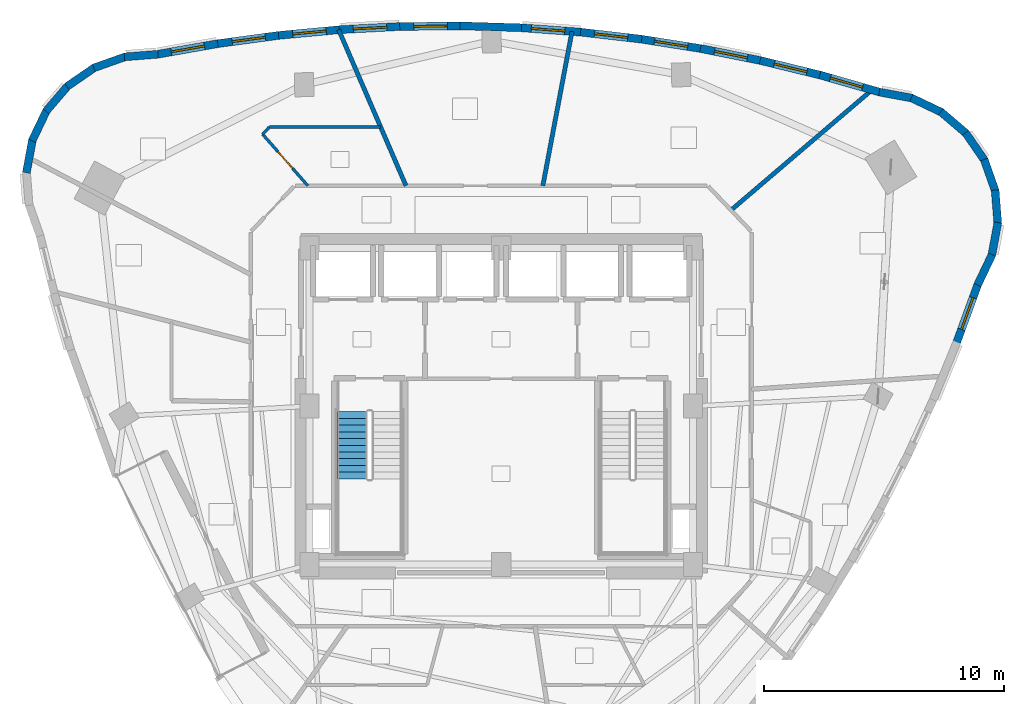
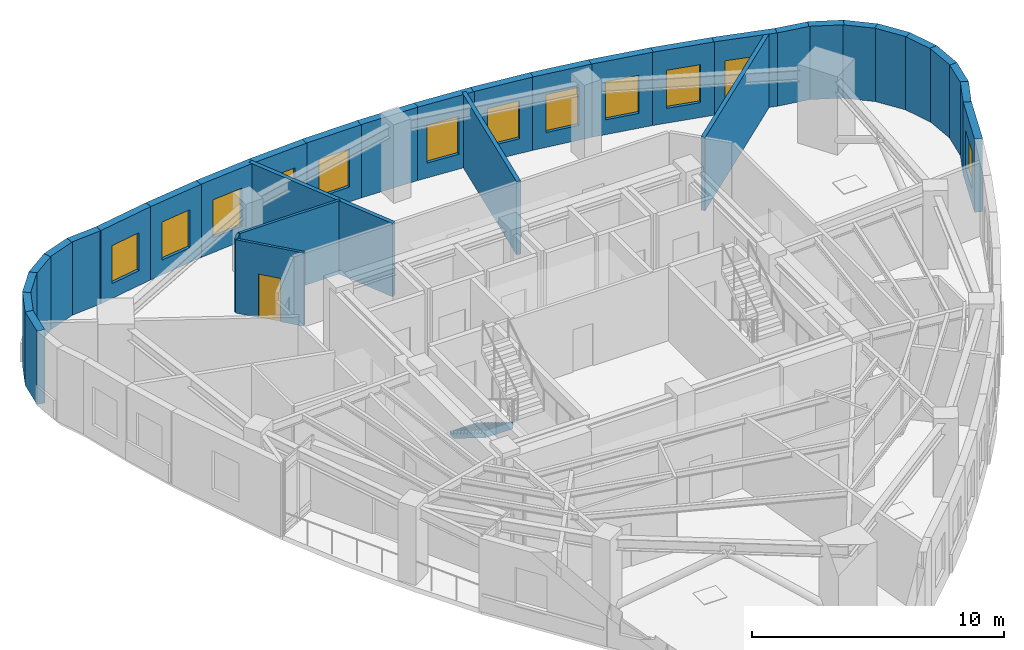
# One storey, part 9 of 13: 33 walls, 12 windows, 1 door, 1 stair flight, 13 openings, 1 element without a shape of its own.
"""IFC4 building model written with IfcOpenShell, lengths in metres."""

from ifc_helpers import new_model, si_unit, direction, frame, frame_2d, origin, place, context, subcontext, project, spatial, polyline, rectangle, outline, extrude, material, layer, layer_set, type_object, element, fill, aggregate, save


model = new_model("IFC4")

# Units and contexts
model_context = context("Model", 3, precision=1e-05, world=origin(), true_north=direction((0.0, 1.0)))
body_context = subcontext(model_context, "Body", "Model", "MODEL_VIEW")
ifc_project = project(units=[si_unit("LENGTHUNIT", "METRE"), si_unit("AREAUNIT", "SQUARE_METRE"), si_unit("VOLUMEUNIT", "CUBIC_METRE"), si_unit("PLANEANGLEUNIT", "RADIAN"), si_unit("MASSUNIT", "GRAM", prefix="KILO")], contexts=[model_context])

# Site, building, storey
site_placement = place(None, origin())
site = spatial("IfcSite", under=ifc_project, at=site_placement, CompositionType="ELEMENT")
building_placement = place(site_placement, origin())
building = spatial("IfcBuilding", under=site, at=building_placement, Name="Ndelora Gate Hotel", CompositionType="ELEMENT")
storey_placement = place(building_placement, frame((0.0, 0.0, 197.949951171875)))
storey = spatial("IfcBuildingStorey", under=building, at=storey_placement, Name="L49", CompositionType="ELEMENT", Elevation=197.949951171875)

# Walls
ifc_material_1 = material(Name="Acoustic Double-Stud Gypsum Assembly", Category="gypsum")
ifc_layer_1 = layer(ifc_material_1, 0.179931640625)
ifc_layer_set_1 = layer_set([ifc_layer_1], Name="Acoustic Double-Stud Gypsum Assembly")
wall_type_1 = type_object("IfcWallType", Name="WL-ACOUST-180", PredefinedType="PARTITIONING", material=ifc_layer_set_1)
wall_1_placement = place(storey_placement, frame((9.591064453125, 8.18115234375, 0.0), z_axis=(0.0, 0.0, 1.0), x_axis=(0.760812400489, 0.648971872474, 0.0)))
element("IfcWall", 1, at=wall_1_placement, inside=storey, type_object=wall_type_1, Name="L49 Interior Wall IW-3", PredefinedType="PARTITIONING", context=body_context, shape_type="SweptSolid", body=[
    extrude(rectangle(XDim=7.73193359375, YDim=0.179931640625, at=frame_2d((3.865966796875, 0.0))), origin(), (0.0, 0.0, 1.0), 3.550048828125),
])
wall_2_placement = place(storey_placement, frame((1.73876953125, 9.199951171875, 0.0), z_axis=(0.0, 0.0, 1.0), x_axis=(0.185690346743, 0.98260831216, 0.0)))
element("IfcWall", 2, at=wall_2_placement, inside=storey, type_object=wall_type_1, Name="L49 Interior Wall IW-3", PredefinedType="PARTITIONING", context=body_context, shape_type="SweptSolid", body=[
    extrude(rectangle(XDim=6.55029296875, YDim=0.179931640625, at=frame_2d((3.275146484375, 0.0))), origin(), (0.0, 0.0, 1.0), 3.550048828125),
])
wall_3_placement = place(storey_placement, frame((-3.971923828125, 9.199951171875, 0.0), z_axis=(0.0, 0.0, 1.0), x_axis=(-0.396382581843, 0.918085425661, 0.0)))
element("IfcWall", 3, at=wall_3_placement, inside=storey, type_object=wall_type_1, Name="L49 Interior Wall IW-3", PredefinedType="PARTITIONING", context=body_context, shape_type="SweptSolid", body=[
    extrude(rectangle(XDim=7.08935546875, YDim=0.179931640625, at=frame_2d((3.544677734375, 0.0))), origin(), (0.0, 0.0, 1.0), 3.550048828125),
])
ifc_material_2 = material(Name="Clay Brick Masonry", Category="masonry")
ifc_layer_2 = layer(ifc_material_2, 0.330078125)
ifc_layer_set_2 = layer_set([ifc_layer_2], Name="Clay Brick Masonry")
wall_type_2 = type_object("IfcWallType", Name="WL-BRICK-330", PredefinedType="SOLIDWALL", material=ifc_layer_set_2)
wall_4_placement = place(storey_placement, frame((-15.72265625, 14.576416015625, 0.0), z_axis=(0.0, 0.0, 1.0), x_axis=(0.996907811278, 0.07857999626, 0.0)))
element("IfcWall", 4, at=wall_4_placement, inside=storey, type_object=wall_type_2, Name="L49 Tower Brick Pier-and-Spandrel Wall TWR-1", PredefinedType="SOLIDWALL", context=body_context, shape_type="SweptSolid", body=[
    extrude(rectangle(XDim=1.407470703125, YDim=0.330078125, at=frame_2d((0.70361328125, 0.0))), origin(), (0.0, 0.0, 1.0), 3.550048828125),
])
wall_5_placement = place(storey_placement, frame((-17.0009765625, 14.1171875, 0.0), z_axis=(0.0, 0.0, 1.0), x_axis=(0.942676111555, 0.333709077945, 0.0)))
element("IfcWall", 5, at=wall_5_placement, inside=storey, type_object=wall_type_2, Name="L49 Tower Brick Pier-and-Spandrel Wall TWR-2", PredefinedType="SOLIDWALL", context=body_context, shape_type="SweptSolid", body=[
    extrude(rectangle(XDim=1.40771484375, YDim=0.330078125, at=frame_2d((0.703857421875, 0.0))), origin(), (0.0, 0.0, 1.0), 3.550048828125),
])
for number, where, z_axis, x_axis, name in (
    (6, (-18.11669921875, 13.34228515625, 0.0), (0.0, 0.0, 1.0), (0.824067227947, 0.566492015675, 0.0), "L49 Tower Brick Pier-and-Spandrel Wall TWR-3"),
    (7, (-18.993896484375, 12.30517578125, 0.0), (0.0, 0.0, 1.0), (0.64941898982, 0.760430782952, 0.0), "L49 Tower Brick Pier-and-Spandrel Wall TWR-4"),
    (8, (-19.572998046875, 11.076416015625, 0.0), (0.0, 0.0, 1.0), (0.430694266873, 0.902497893894, 0.0), "L49 Tower Brick Pier-and-Spandrel Wall TWR-5"),
    (9, (-19.814208984375, 9.73974609375, 0.0), (0.0, 0.0, 1.0), (0.182319094132, 0.983239415359, 0.0), "L49 Tower Brick Pier-and-Spandrel Wall TWR-6"),
):
    element("IfcWall", number, at=place(storey_placement, frame(where, z_axis=z_axis, x_axis=x_axis)), inside=storey, type_object=wall_type_2, Name=name, PredefinedType="SOLIDWALL", context=body_context, shape_type="SweptSolid", body=[
        extrude(rectangle(XDim=1.407470703125, YDim=0.330078125, at=frame_2d((0.70361328125, 0.0))), origin(), (0.0, 0.0, 1.0), 3.550048828125),
    ])

# Wall, opening, window
wall_6_placement = place(storey_placement, frame((19.8984375, 5.103759765625, 0.0), z_axis=(0.0, 0.0, 1.0), x_axis=(-0.342100538488, -0.939663355445, 0.0)))
wall_6 = element("IfcWall", 10, at=wall_6_placement, inside=storey, type_object=wall_type_2, Name="L49 Tower Brick Pier-and-Spandrel Wall TWR-38", PredefinedType="SOLIDWALL", context=body_context, shape_type="SweptSolid", body=[
    extrude(rectangle(XDim=2.6318359375, YDim=0.330078125, at=frame_2d((1.31591796875, 0.0))), origin(), (0.0, 0.0, 1.0), 3.550048828125),
])
opening_1_placement = place(wall_6_placement, frame((0.615966796875, 0.0, 0.719970703125)))
opening_1 = element("IfcOpeningElement", 11, at=opening_1_placement, cuts=wall_6, Name="Opening W02", PredefinedType="OPENING", context=body_context, shape_type="SweptSolid", body=[
    extrude(rectangle(XDim=1.39990234375, YDim=1.840087890625, at=frame_2d((0.699951171875, 0.919921875))), frame((0.0, 0.175048828125, 0.0), z_axis=(0.0, -1.0, 0.0), x_axis=(1.0, 0.0, 0.0)), (0.0, 0.0, 1.0), 0.35009765625),
])
ifc_material_3 = material(Name="Insulated Low-E Double Glazing in Bronze Aluminium Frame", Category="aluminium")
window_type = type_object("IfcWindowType", Name="WN-DEEP-1400", PartitioningType="SINGLE_PANEL", PredefinedType="WINDOW", material=ifc_material_3)
window_1_placement = place(opening_1_placement, origin())
window_1 = element("IfcWindow", 12, at=window_1_placement, inside=storey, type_object=window_type, Name="L49 Deep-Set Brick-Pier Window W02", OverallHeight=1.840087890625, OverallWidth=1.39990234375, PartitioningType="SINGLE_PANEL", PredefinedType="WINDOW", context=body_context, shape_type="SweptSolid", body=[
    extrude(rectangle(XDim=1.39990234375, YDim=1.840087890625, at=frame_2d((0.699951171875, 0.919921875))), frame((0.0, 0.030029296875, 0.0), z_axis=(0.0, -1.0, 0.0), x_axis=(1.0, 0.0, 0.0)), (0.0, 0.0, 1.0), 0.06005859375),
])
fill(opening_1, window_1)

# Walls
wall_7_placement = place(storey_placement, frame((20.485107421875, 6.327880859375, 0.0), z_axis=(0.0, 0.0, 1.0), x_axis=(-0.430694266873, -0.902497893894, 0.0)))
element("IfcWall", 13, at=wall_7_placement, inside=storey, type_object=wall_type_2, Name="L49 Tower Brick Pier-and-Spandrel Wall TWR-39", PredefinedType="SOLIDWALL", context=body_context, shape_type="SweptSolid", body=[
    extrude(rectangle(XDim=1.407470703125, YDim=0.330078125, at=frame_2d((0.70361328125, 0.0))), origin(), (0.0, 0.0, 1.0), 3.550048828125),
])
wall_8_placement = place(storey_placement, frame((20.726318359375, 7.664794921875, 0.0), z_axis=(0.0, 0.0, 1.0), x_axis=(-0.182455673353, -0.983214080077, 0.0)))
element("IfcWall", 14, at=wall_8_placement, inside=storey, type_object=wall_type_2, Name="L49 Tower Brick Pier-and-Spandrel Wall TWR-40", PredefinedType="SOLIDWALL", context=body_context, shape_type="SweptSolid", body=[
    extrude(rectangle(XDim=1.40771484375, YDim=0.330078125, at=frame_2d((0.703857421875, 0.0))), origin(), (0.0, 0.0, 1.0), 3.550048828125),
])
wall_9_placement = place(storey_placement, frame((20.613037109375, 9.018310546875, 0.0), z_axis=(0.0, 0.0, 1.0), x_axis=(0.07857999626, -0.996907811278, 0.0)))
element("IfcWall", 15, at=wall_9_placement, inside=storey, type_object=wall_type_2, Name="L49 Tower Brick Pier-and-Spandrel Wall TWR-41", PredefinedType="SOLIDWALL", context=body_context, shape_type="SweptSolid", body=[
    extrude(rectangle(XDim=1.407470703125, YDim=0.330078125, at=frame_2d((0.70361328125, 0.0))), origin(), (0.0, 0.0, 1.0), 3.550048828125),
])
wall_10_placement = place(storey_placement, frame((20.153564453125, 10.296630859375, 0.0), z_axis=(0.0, 0.0, 1.0), x_axis=(0.333709077945, -0.942676111555, 0.0)))
element("IfcWall", 16, at=wall_10_placement, inside=storey, type_object=wall_type_2, Name="L49 Tower Brick Pier-and-Spandrel Wall TWR-42", PredefinedType="SOLIDWALL", context=body_context, shape_type="SweptSolid", body=[
    extrude(rectangle(XDim=1.40771484375, YDim=0.330078125, at=frame_2d((0.703857421875, 0.0))), origin(), (0.0, 0.0, 1.0), 3.550048828125),
])
for number, where, z_axis, x_axis, name in (
    (17, (19.37890625, 11.412353515625, 0.0), (0.0, 0.0, 1.0), (0.566374209812, -0.824148199331, 0.0), "L49 Tower Brick Pier-and-Spandrel Wall TWR-43"),
    (18, (18.341796875, 12.28955078125, 0.0), (0.0, 0.0, 1.0), (0.760430782952, -0.64941898982, 0.0), "L49 Tower Brick Pier-and-Spandrel Wall TWR-44"),
    (19, (17.113037109375, 12.86865234375, 0.0), (0.0, 0.0, 1.0), (0.902565310806, -0.430552969714, 0.0), "L49 Tower Brick Pier-and-Spandrel Wall TWR-45"),
):
    element("IfcWall", number, at=place(storey_placement, frame(where, z_axis=z_axis, x_axis=x_axis)), inside=storey, type_object=wall_type_2, Name=name, PredefinedType="SOLIDWALL", context=body_context, shape_type="SweptSolid", body=[
        extrude(rectangle(XDim=1.407470703125, YDim=0.330078125, at=frame_2d((0.70361328125, 0.0))), origin(), (0.0, 0.0, 1.0), 3.550048828125),
    ])
wall_11_placement = place(storey_placement, frame((15.7763671875, 13.109619140625, 0.0), z_axis=(0.0, 0.0, 1.0), x_axis=(0.983270499209, -0.182151380411, 0.0)))
element("IfcWall", 20, at=wall_11_placement, inside=storey, type_object=wall_type_2, Name="L49 Tower Brick Pier-and-Spandrel Wall TWR-46", PredefinedType="SOLIDWALL", context=body_context, shape_type="SweptSolid", body=[
    extrude(rectangle(XDim=1.4072265625, YDim=0.330078125, at=frame_2d((0.70361328125, 0.0))), origin(), (0.0, 0.0, 1.0), 3.550048828125),
])

# Wall, opening, window
wall_12_placement = place(storey_placement, frame((13.295166015625, 13.823486328125, 0.0), z_axis=(0.0, 0.0, 1.0), x_axis=(0.961267980462, -0.275615438135, 0.0)))
wall_12 = element("IfcWall", 21, at=wall_12_placement, inside=storey, type_object=wall_type_2, Name="L49 Tower Brick Pier-and-Spandrel Wall TWR-47", PredefinedType="SOLIDWALL", context=body_context, shape_type="SweptSolid", body=[
    extrude(rectangle(XDim=2.6318359375, YDim=0.330078125, at=frame_2d((1.31591796875, 0.0))), origin(), (0.0, 0.0, 1.0), 3.550048828125),
])
opening_2_placement = place(wall_12_placement, frame((0.4599609375, 0.0, 0.719970703125)))
opening_2 = element("IfcOpeningElement", 22, at=opening_2_placement, cuts=wall_12, Name="Opening W02", PredefinedType="OPENING", context=body_context, shape_type="SweptSolid", body=[
    extrude(rectangle(XDim=1.39990234375, YDim=1.840087890625, at=frame_2d((0.699951171875, 0.919921875))), frame((0.0, 0.175048828125, 0.0), z_axis=(0.0, -1.0, 0.0), x_axis=(1.0, 0.0, 0.0)), (0.0, 0.0, 1.0), 0.35009765625),
])
window_2_placement = place(opening_2_placement, origin())
window_2 = element("IfcWindow", 23, at=window_2_placement, inside=storey, type_object=window_type, Name="L49 Deep-Set Brick-Pier Window W02", OverallHeight=1.840087890625, OverallWidth=1.39990234375, PartitioningType="SINGLE_PANEL", PredefinedType="WINDOW", context=body_context, shape_type="SweptSolid", body=[
    extrude(rectangle(XDim=1.39990234375, YDim=1.840087890625, at=frame_2d((0.699951171875, 0.919921875))), frame((0.0, 0.030029296875, 0.0), z_axis=(0.0, -1.0, 0.0), x_axis=(1.0, 0.0, 0.0)), (0.0, 0.0, 1.0), 0.06005859375),
])
fill(opening_2, window_2)

wall_13_placement = place(storey_placement, frame((10.8076171875, 14.428466796875, 0.0), z_axis=(0.0, 0.0, 1.0), x_axis=(0.971593821021, -0.236654699835, 0.0)))
wall_13 = element("IfcWall", 24, at=wall_13_placement, inside=storey, type_object=wall_type_2, Name="L49 Tower Brick Pier-and-Spandrel Wall TWR-48", PredefinedType="SOLIDWALL", context=body_context, shape_type="SweptSolid", body=[
    extrude(rectangle(XDim=2.610107421875, YDim=0.330078125, at=frame_2d((1.30517578125, 0.0))), origin(), (0.0, 0.0, 1.0), 3.550048828125),
])
opening_3_placement = place(wall_13_placement, frame((0.60498046875, 0.0, 0.719970703125)))
opening_3 = element("IfcOpeningElement", 25, at=opening_3_placement, cuts=wall_13, Name="Opening W02", PredefinedType="OPENING", context=body_context, shape_type="SweptSolid", body=[
    extrude(rectangle(XDim=1.39990234375, YDim=1.840087890625, at=frame_2d((0.699951171875, 0.919921875))), frame((0.0, 0.175048828125, 0.0), z_axis=(0.0, -1.0, 0.0), x_axis=(1.0, 0.0, 0.0)), (0.0, 0.0, 1.0), 0.35009765625),
])
window_3_placement = place(opening_3_placement, origin())
window_3 = element("IfcWindow", 26, at=window_3_placement, inside=storey, type_object=window_type, Name="L49 Deep-Set Brick-Pier Window W02", OverallHeight=1.840087890625, OverallWidth=1.39990234375, PartitioningType="SINGLE_PANEL", PredefinedType="WINDOW", context=body_context, shape_type="SweptSolid", body=[
    extrude(rectangle(XDim=1.39990234375, YDim=1.840087890625, at=frame_2d((0.699951171875, 0.919921875))), frame((0.0, 0.030029296875, 0.0), z_axis=(0.0, -1.0, 0.0), x_axis=(1.0, 0.0, 0.0)), (0.0, 0.0, 1.0), 0.06005859375),
])
fill(opening_3, window_3)

wall_14_placement = place(storey_placement, frame((8.314697265625, 14.927978515625, 0.0), z_axis=(0.0, 0.0, 1.0), x_axis=(0.980439161236, -0.196822384688, 0.0)))
wall_14 = element("IfcWall", 27, at=wall_14_placement, inside=storey, type_object=wall_type_2, Name="L49 Tower Brick Pier-and-Spandrel Wall TWR-49", PredefinedType="SOLIDWALL", context=body_context, shape_type="SweptSolid", body=[
    extrude(rectangle(XDim=2.592529296875, YDim=0.330078125, at=frame_2d((1.29638671875, 0.0))), origin(), (0.0, 0.0, 1.0), 3.550048828125),
])
opening_4_placement = place(wall_14_placement, frame((0.59619140625, 0.0, 0.719970703125)))
opening_4 = element("IfcOpeningElement", 28, at=opening_4_placement, cuts=wall_14, Name="Opening W02", PredefinedType="OPENING", context=body_context, shape_type="SweptSolid", body=[
    extrude(rectangle(XDim=1.39990234375, YDim=1.840087890625, at=frame_2d((0.699951171875, 0.919921875))), frame((0.0, 0.175048828125, 0.0), z_axis=(0.0, -1.0, 0.0), x_axis=(1.0, 0.0, 0.0)), (0.0, 0.0, 1.0), 0.35009765625),
])
window_4_placement = place(opening_4_placement, origin())
window_4 = element("IfcWindow", 29, at=window_4_placement, inside=storey, type_object=window_type, Name="L49 Deep-Set Brick-Pier Window W02", OverallHeight=1.840087890625, OverallWidth=1.39990234375, PartitioningType="SINGLE_PANEL", PredefinedType="WINDOW", context=body_context, shape_type="SweptSolid", body=[
    extrude(rectangle(XDim=1.39990234375, YDim=1.840087890625, at=frame_2d((0.699951171875, 0.919921875))), frame((0.0, 0.030029296875, 0.0), z_axis=(0.0, -1.0, 0.0), x_axis=(1.0, 0.0, 0.0)), (0.0, 0.0, 1.0), 0.06005859375),
])
fill(opening_4, window_4)

wall_15_placement = place(storey_placement, frame((5.816162109375, 15.322265625, 0.0), z_axis=(0.0, 0.0, 1.0), x_axis=(0.987713798628, -0.156273644613, 0.0)))
wall_15 = element("IfcWall", 30, at=wall_15_placement, inside=storey, type_object=wall_type_2, Name="L49 Tower Brick Pier-and-Spandrel Wall TWR-50", PredefinedType="SOLIDWALL", context=body_context, shape_type="SweptSolid", body=[
    extrude(rectangle(XDim=2.579345703125, YDim=0.330078125, at=frame_2d((1.28955078125, 0.0))), origin(), (0.0, 0.0, 1.0), 3.550048828125),
])
opening_5_placement = place(wall_15_placement, frame((0.589599609375, 0.0, 0.719970703125)))
opening_5 = element("IfcOpeningElement", 31, at=opening_5_placement, cuts=wall_15, Name="Opening W02", PredefinedType="OPENING", context=body_context, shape_type="SweptSolid", body=[
    extrude(rectangle(XDim=1.39990234375, YDim=1.840087890625, at=frame_2d((0.699951171875, 0.919921875))), frame((0.0, 0.175048828125, 0.0), z_axis=(0.0, -1.0, 0.0), x_axis=(1.0, 0.0, 0.0)), (0.0, 0.0, 1.0), 0.35009765625),
])
window_5_placement = place(opening_5_placement, origin())
window_5 = element("IfcWindow", 32, at=window_5_placement, inside=storey, type_object=window_type, Name="L49 Deep-Set Brick-Pier Window W02", OverallHeight=1.840087890625, OverallWidth=1.39990234375, PartitioningType="SINGLE_PANEL", PredefinedType="WINDOW", context=body_context, shape_type="SweptSolid", body=[
    extrude(rectangle(XDim=1.39990234375, YDim=1.840087890625, at=frame_2d((0.699951171875, 0.919921875))), frame((0.0, 0.030029296875, 0.0), z_axis=(0.0, -1.0, 0.0), x_axis=(1.0, 0.0, 0.0)), (0.0, 0.0, 1.0), 0.06005859375),
])
fill(opening_5, window_5)

wall_16_placement = place(storey_placement, frame((3.312255859375, 15.611083984375, 0.0), z_axis=(0.0, 0.0, 1.0), x_axis=(0.993362262195, -0.115027892476, 0.0)))
wall_16 = element("IfcWall", 33, at=wall_16_placement, inside=storey, type_object=wall_type_2, Name="L49 Tower Brick Pier-and-Spandrel Wall TWR-51", PredefinedType="SOLIDWALL", context=body_context, shape_type="SweptSolid", body=[
    extrude(rectangle(XDim=2.5703125, YDim=0.330078125, at=frame_2d((1.28515625, 0.0))), origin(), (0.0, 0.0, 1.0), 3.550048828125),
])
opening_6_placement = place(wall_16_placement, frame((0.585205078125, 0.0, 0.719970703125)))
opening_6 = element("IfcOpeningElement", 34, at=opening_6_placement, cuts=wall_16, Name="Opening W02", PredefinedType="OPENING", context=body_context, shape_type="SweptSolid", body=[
    extrude(rectangle(XDim=1.39990234375, YDim=1.840087890625, at=frame_2d((0.699951171875, 0.919921875))), frame((0.0, 0.175048828125, 0.0), z_axis=(0.0, -1.0, 0.0), x_axis=(1.0, 0.0, 0.0)), (0.0, 0.0, 1.0), 0.35009765625),
])
window_6_placement = place(opening_6_placement, origin())
window_6 = element("IfcWindow", 35, at=window_6_placement, inside=storey, type_object=window_type, Name="L49 Deep-Set Brick-Pier Window W02", OverallHeight=1.840087890625, OverallWidth=1.39990234375, PartitioningType="SINGLE_PANEL", PredefinedType="WINDOW", context=body_context, shape_type="SweptSolid", body=[
    extrude(rectangle(XDim=1.39990234375, YDim=1.840087890625, at=frame_2d((0.699951171875, 0.919921875))), frame((0.0, 0.030029296875, 0.0), z_axis=(0.0, -1.0, 0.0), x_axis=(1.0, 0.0, 0.0)), (0.0, 0.0, 1.0), 0.06005859375),
])
fill(opening_6, window_6)

wall_17_placement = place(storey_placement, frame((0.802734375, 15.794189453125, 0.0), z_axis=(0.0, 0.0, 1.0), x_axis=(0.9973127393, -0.073261859308, 0.0)))
wall_17 = element("IfcWall", 36, at=wall_17_placement, inside=storey, type_object=wall_type_2, Name="L49 Tower Brick Pier-and-Spandrel Wall TWR-52", PredefinedType="SOLIDWALL", context=body_context, shape_type="SweptSolid", body=[
    extrude(rectangle(XDim=2.56591796875, YDim=0.330078125, at=frame_2d((1.282958984375, 0.0))), origin(), (0.0, 0.0, 1.0), 3.550048828125),
])
opening_7_placement = place(wall_17_placement, frame((0.4599609375, 0.0, 0.719970703125)))
opening_7 = element("IfcOpeningElement", 37, at=opening_7_placement, cuts=wall_17, Name="Opening W02", PredefinedType="OPENING", context=body_context, shape_type="SweptSolid", body=[
    extrude(rectangle(XDim=1.39990234375, YDim=1.840087890625, at=frame_2d((0.699951171875, 0.919921875))), frame((0.0, 0.175048828125, 0.0), z_axis=(0.0, -1.0, 0.0), x_axis=(1.0, 0.0, 0.0)), (0.0, 0.0, 1.0), 0.35009765625),
])
window_7_placement = place(opening_7_placement, origin())
window_7 = element("IfcWindow", 38, at=window_7_placement, inside=storey, type_object=window_type, Name="L49 Deep-Set Brick-Pier Window W02", OverallHeight=1.840087890625, OverallWidth=1.39990234375, PartitioningType="SINGLE_PANEL", PredefinedType="WINDOW", context=body_context, shape_type="SweptSolid", body=[
    extrude(rectangle(XDim=1.39990234375, YDim=1.840087890625, at=frame_2d((0.699951171875, 0.919921875))), frame((0.0, 0.030029296875, 0.0), z_axis=(0.0, -1.0, 0.0), x_axis=(1.0, 0.0, 0.0)), (0.0, 0.0, 1.0), 0.06005859375),
])
fill(opening_7, window_7)

# Wall
wall_18_placement = place(storey_placement, frame((-1.712158203125, 15.872314453125, 0.0), z_axis=(0.0, 0.0, 1.0), x_axis=(0.999506957349, -0.031398124315, 0.0)))
element("IfcWall", 39, at=wall_18_placement, inside=storey, type_object=wall_type_2, Name="L49 Tower Brick Pier-and-Spandrel Wall TWR-53", PredefinedType="SOLIDWALL", context=body_context, shape_type="SweptSolid", body=[
    extrude(rectangle(XDim=2.56591796875, YDim=0.330078125, at=frame_2d((1.282958984375, 0.0))), origin(), (0.0, 0.0, 1.0), 3.550048828125),
])

# Wall, opening, window
wall_19_placement = place(storey_placement, frame((-4.232666015625, 15.8447265625, 0.0), z_axis=(0.0, 0.0, 1.0), x_axis=(0.999945431053, 0.010446765829, 0.0)))
wall_19 = element("IfcWall", 40, at=wall_19_placement, inside=storey, type_object=wall_type_2, Name="L49 Tower Brick Pier-and-Spandrel Wall TWR-54", PredefinedType="SOLIDWALL", context=body_context, shape_type="SweptSolid", body=[
    extrude(rectangle(XDim=2.57080078125, YDim=0.330078125, at=frame_2d((1.285400390625, 0.0))), origin(), (0.0, 0.0, 1.0), 3.550048828125),
])
opening_8_placement = place(wall_19_placement, frame((0.585205078125, 0.0, 0.719970703125)))
opening_8 = element("IfcOpeningElement", 41, at=opening_8_placement, cuts=wall_19, Name="Opening W02", PredefinedType="OPENING", context=body_context, shape_type="SweptSolid", body=[
    extrude(rectangle(XDim=1.39990234375, YDim=1.840087890625, at=frame_2d((0.699951171875, 0.919921875))), frame((0.0, 0.175048828125, 0.0), z_axis=(0.0, -1.0, 0.0), x_axis=(1.0, 0.0, 0.0)), (0.0, 0.0, 1.0), 0.35009765625),
])
window_8_placement = place(opening_8_placement, origin())
window_8 = element("IfcWindow", 42, at=window_8_placement, inside=storey, type_object=window_type, Name="L49 Deep-Set Brick-Pier Window W02", OverallHeight=1.840087890625, OverallWidth=1.39990234375, PartitioningType="SINGLE_PANEL", PredefinedType="WINDOW", context=body_context, shape_type="SweptSolid", body=[
    extrude(rectangle(XDim=1.39990234375, YDim=1.840087890625, at=frame_2d((0.699951171875, 0.919921875))), frame((0.0, 0.030029296875, 0.0), z_axis=(0.0, -1.0, 0.0), x_axis=(1.0, 0.0, 0.0)), (0.0, 0.0, 1.0), 0.06005859375),
])
fill(opening_8, window_8)

wall_20_placement = place(storey_placement, frame((-6.758544921875, 15.7119140625, 0.0), z_axis=(0.0, 0.0, 1.0), x_axis=(0.998644110944, 0.052057080942, 0.0)))
wall_20 = element("IfcWall", 43, at=wall_20_placement, inside=storey, type_object=wall_type_2, Name="L49 Tower Brick Pier-and-Spandrel Wall TWR-55", PredefinedType="SOLIDWALL", context=body_context, shape_type="SweptSolid", body=[
    extrude(rectangle(XDim=2.579345703125, YDim=0.330078125, at=frame_2d((1.28955078125, 0.0))), origin(), (0.0, 0.0, 1.0), 3.550048828125),
])
opening_9_placement = place(wall_20_placement, frame((0.589599609375, 0.0, 0.719970703125)))
opening_9 = element("IfcOpeningElement", 44, at=opening_9_placement, cuts=wall_20, Name="Opening W02", PredefinedType="OPENING", context=body_context, shape_type="SweptSolid", body=[
    extrude(rectangle(XDim=1.39990234375, YDim=1.840087890625, at=frame_2d((0.699951171875, 0.919921875))), frame((0.0, 0.175048828125, 0.0), z_axis=(0.0, -1.0, 0.0), x_axis=(1.0, 0.0, 0.0)), (0.0, 0.0, 1.0), 0.35009765625),
])
window_9_placement = place(opening_9_placement, origin())
window_9 = element("IfcWindow", 45, at=window_9_placement, inside=storey, type_object=window_type, Name="L49 Deep-Set Brick-Pier Window W02", OverallHeight=1.840087890625, OverallWidth=1.39990234375, PartitioningType="SINGLE_PANEL", PredefinedType="WINDOW", context=body_context, shape_type="SweptSolid", body=[
    extrude(rectangle(XDim=1.39990234375, YDim=1.840087890625, at=frame_2d((0.699951171875, 0.919921875))), frame((0.0, 0.030029296875, 0.0), z_axis=(0.0, -1.0, 0.0), x_axis=(1.0, 0.0, 0.0)), (0.0, 0.0, 1.0), 0.06005859375),
])
fill(opening_9, window_9)

wall_21_placement = place(storey_placement, frame((-9.289794921875, 15.473388671875, 0.0), z_axis=(0.0, 0.0, 1.0), x_axis=(0.9956361402, 0.093320288938, 0.0)))
wall_21 = element("IfcWall", 46, at=wall_21_placement, inside=storey, type_object=wall_type_2, Name="L49 Tower Brick Pier-and-Spandrel Wall TWR-56", PredefinedType="SOLIDWALL", context=body_context, shape_type="SweptSolid", body=[
    extrude(rectangle(XDim=2.592529296875, YDim=0.330078125, at=frame_2d((1.29638671875, 0.0))), origin(), (0.0, 0.0, 1.0), 3.550048828125),
])
opening_10_placement = place(wall_21_placement, frame((0.59619140625, 0.0, 0.719970703125)))
opening_10 = element("IfcOpeningElement", 47, at=opening_10_placement, cuts=wall_21, Name="Opening W02", PredefinedType="OPENING", context=body_context, shape_type="SweptSolid", body=[
    extrude(rectangle(XDim=1.39990234375, YDim=1.840087890625, at=frame_2d((0.699951171875, 0.919921875))), frame((0.0, 0.175048828125, 0.0), z_axis=(0.0, -1.0, 0.0), x_axis=(1.0, 0.0, 0.0)), (0.0, 0.0, 1.0), 0.35009765625),
])
window_10_placement = place(opening_10_placement, origin())
window_10 = element("IfcWindow", 48, at=window_10_placement, inside=storey, type_object=window_type, Name="L49 Deep-Set Brick-Pier Window W02", OverallHeight=1.840087890625, OverallWidth=1.39990234375, PartitioningType="SINGLE_PANEL", PredefinedType="WINDOW", context=body_context, shape_type="SweptSolid", body=[
    extrude(rectangle(XDim=1.39990234375, YDim=1.840087890625, at=frame_2d((0.699951171875, 0.919921875))), frame((0.0, 0.030029296875, 0.0), z_axis=(0.0, -1.0, 0.0), x_axis=(1.0, 0.0, 0.0)), (0.0, 0.0, 1.0), 0.06005859375),
])
fill(opening_10, window_10)

wall_22_placement = place(storey_placement, frame((-11.82666015625, 15.1298828125, 0.0), z_axis=(0.0, 0.0, 1.0), x_axis=(0.991012550784, 0.133768920863, 0.0)))
wall_22 = element("IfcWall", 49, at=wall_22_placement, inside=storey, type_object=wall_type_2, Name="L49 Tower Brick Pier-and-Spandrel Wall TWR-57", PredefinedType="SOLIDWALL", context=body_context, shape_type="SweptSolid", body=[
    extrude(rectangle(XDim=2.60986328125, YDim=0.330078125, at=frame_2d((1.304931640625, 0.0))), origin(), (0.0, 0.0, 1.0), 3.550048828125),
])
opening_11_placement = place(wall_22_placement, frame((0.60498046875, 0.0, 0.719970703125)))
opening_11 = element("IfcOpeningElement", 50, at=opening_11_placement, cuts=wall_22, Name="Opening W02", PredefinedType="OPENING", context=body_context, shape_type="SweptSolid", body=[
    extrude(rectangle(XDim=1.39990234375, YDim=1.840087890625, at=frame_2d((0.699951171875, 0.919921875))), frame((0.0, 0.175048828125, 0.0), z_axis=(0.0, -1.0, 0.0), x_axis=(1.0, 0.0, 0.0)), (0.0, 0.0, 1.0), 0.35009765625),
])
window_11_placement = place(opening_11_placement, origin())
window_11 = element("IfcWindow", 51, at=window_11_placement, inside=storey, type_object=window_type, Name="L49 Deep-Set Brick-Pier Window W02", OverallHeight=1.840087890625, OverallWidth=1.39990234375, PartitioningType="SINGLE_PANEL", PredefinedType="WINDOW", context=body_context, shape_type="SweptSolid", body=[
    extrude(rectangle(XDim=1.39990234375, YDim=1.840087890625, at=frame_2d((0.699951171875, 0.919921875))), frame((0.0, 0.030029296875, 0.0), z_axis=(0.0, -1.0, 0.0), x_axis=(1.0, 0.0, 0.0)), (0.0, 0.0, 1.0), 0.06005859375),
])
fill(opening_11, window_11)

wall_23_placement = place(storey_placement, frame((-14.368896484375, 14.6806640625, 0.0), z_axis=(0.0, 0.0, 1.0), x_axis=(0.984819029835, 0.173584211476, 0.0)))
wall_23 = element("IfcWall", 52, at=wall_23_placement, inside=storey, type_object=wall_type_2, Name="L49 Tower Brick Pier-and-Spandrel Wall TWR-58", PredefinedType="SOLIDWALL", context=body_context, shape_type="SweptSolid", body=[
    extrude(rectangle(XDim=2.631591796875, YDim=0.330078125, at=frame_2d((1.31591796875, 0.0))), origin(), (0.0, 0.0, 1.0), 3.550048828125),
])
opening_12_placement = place(wall_23_placement, frame((0.61572265625, 0.0, 0.719970703125)))
opening_12 = element("IfcOpeningElement", 53, at=opening_12_placement, cuts=wall_23, Name="Opening W02", PredefinedType="OPENING", context=body_context, shape_type="SweptSolid", body=[
    extrude(rectangle(XDim=1.39990234375, YDim=1.840087890625, at=frame_2d((0.699951171875, 0.919921875))), frame((0.0, 0.175048828125, 0.0), z_axis=(0.0, -1.0, 0.0), x_axis=(1.0, 0.0, 0.0)), (0.0, 0.0, 1.0), 0.35009765625),
])
window_12_placement = place(opening_12_placement, origin())
window_12 = element("IfcWindow", 54, at=window_12_placement, inside=storey, type_object=window_type, Name="L49 Deep-Set Brick-Pier Window W02", OverallHeight=1.840087890625, OverallWidth=1.39990234375, PartitioningType="SINGLE_PANEL", PredefinedType="WINDOW", context=body_context, shape_type="SweptSolid", body=[
    extrude(rectangle(XDim=1.39990234375, YDim=1.840087890625, at=frame_2d((0.699951171875, 0.919921875))), frame((0.0, 0.030029296875, 0.0), z_axis=(0.0, -1.0, 0.0), x_axis=(1.0, 0.0, 0.0)), (0.0, 0.0, 1.0), 0.06005859375),
])
fill(opening_12, window_12)

# Wall, opening, door
ifc_material_4 = material(Name="Moisture-Resistant Bathroom Tile Partition", Category="gypsum")
ifc_layer_3 = layer(ifc_material_4, 0.1201171875)
ifc_layer_set_3 = layer_set([ifc_layer_3], Name="Moisture-Resistant Bathroom Tile Partition")
wall_type_3 = type_object("IfcWallType", Name="WL-WET-120", PredefinedType="PARTITIONING", material=ifc_layer_set_3)
wall_24_placement = place(storey_placement, frame((-8.0693359375, 9.199951171875, 0.0), z_axis=(0.0, 0.0, 1.0), x_axis=(-0.659368411854, 0.751819990057, 0.0)))
wall_24 = element("IfcWall", 55, at=wall_24_placement, inside=storey, type_object=wall_type_3, Name="L49 Interior Wall IW-7", PredefinedType="PARTITIONING", context=body_context, shape_type="SweptSolid", body=[
    extrude(rectangle(XDim=2.85986328125, YDim=0.1201171875, at=frame_2d((1.429931640625, 0.0))), origin(), (0.0, 0.0, 1.0), 3.550048828125),
])
opening_13_placement = place(wall_24_placement, frame((0.969970703125, 0.0, 0.0)))
opening_13 = element("IfcOpeningElement", 56, at=opening_13_placement, cuts=wall_24, Name="Opening D03", PredefinedType="OPENING", context=body_context, shape_type="SweptSolid", body=[
    extrude(rectangle(XDim=0.919921875, YDim=2.10009765625, at=frame_2d((0.4599609375, 1.050048828125))), frame((0.0, 0.070068359375, 0.0), z_axis=(0.0, -1.0, 0.0), x_axis=(1.0, 0.0, 0.0)), (0.0, 0.0, 1.0), 0.14013671875),
])
ifc_material_5 = material(Name="Moisture-Resistant Hardwood En-Suite Door", Category="wood")
door_type = type_object("IfcDoorType", Name="DR-BATH-920", OperationType="SINGLE_SWING_LEFT", PredefinedType="DOOR", material=ifc_material_5)
door_placement = place(opening_13_placement, origin())
door = element("IfcDoor", 57, at=door_placement, inside=storey, type_object=door_type, Name="L49 En-suite Bathroom 5204 Door", OperationType="SINGLE_SWING_LEFT", OverallHeight=2.10009765625, OverallWidth=0.919921875, PredefinedType="DOOR", context=body_context, shape_type="SweptSolid", body=[
    extrude(rectangle(XDim=0.919921875, YDim=2.10009765625, at=frame_2d((0.4599609375, 1.050048828125))), frame((0.0, 0.02490234375, 0.0), z_axis=(0.0, -1.0, 0.0), x_axis=(1.0, 0.0, 0.0)), (0.0, 0.0, 1.0), 0.050048828125),
])
fill(opening_13, door)

# Walls
wall_25_placement = place(storey_placement, frame((-9.955078125, 11.35009765625, 0.0), z_axis=(0.0, 0.0, 1.0), x_axis=(0.689802376572, 0.72399770806, 0.0)))
element("IfcWall", 58, at=wall_25_placement, inside=storey, type_object=wall_type_3, Name="L49 Interior Wall IW-7", PredefinedType="PARTITIONING", context=body_context, shape_type="SweptSolid", body=[
    extrude(rectangle(XDim=0.4140625, YDim=0.1201171875, at=frame_2d((0.20703125, 0.0))), origin(), (0.0, 0.0, 1.0), 3.550048828125),
])
wall_26_placement = place(storey_placement, frame((-5.02978515625, 11.64990234375, 0.0), z_axis=(0.0, 0.0, 1.0), x_axis=(-1.0, 0.0, 0.0)))
element("IfcWall", 59, at=wall_26_placement, inside=storey, type_object=wall_type_3, Name="L49 Interior Wall IW-7", PredefinedType="PARTITIONING", context=body_context, shape_type="SweptSolid", body=[
    extrude(rectangle(XDim=4.6396484375, YDim=0.1201171875, at=frame_2d((2.31982421875, 0.0))), origin(), (0.0, 0.0, 1.0), 3.550048828125),
])

# Stair, stair flight
ifc_material_6 = material(Name="Precast concrete C40/50", Category="concrete")
stair_type = type_object("IfcStairType", Name="STR-DOG-CORE", PredefinedType="HALF_TURN_STAIR", material=ifc_material_6)
stair_placement = place(storey_placement, origin())
stair = element("IfcStair", 60, at=stair_placement, inside=storey, type_object=stair_type, Name="L49 Protected Core Exit Stair ST4", PredefinedType="HALF_TURN_STAIR")
stair_flight_type = type_object("IfcStairFlightType", Name="STF-PRECAST", PredefinedType="STRAIGHT", material=ifc_material_6)
stair_flight_placement = place(storey_placement, frame((-6.2099609375, -0.22998046875, 0.0), z_axis=(0.0, 0.0, 1.0), x_axis=(0.0, -1.0, 0.0)))
stair_flight = element("IfcStairFlight", 61, at=stair_flight_placement, type_object=stair_flight_type, Name="ST4 flight 1", NumberOfRisers=11, NumberOfTreads=10, PredefinedType="STRAIGHT", RiserHeight=0.172727273, TreadLength=0.28, context=body_context, shape_type="SweptSolid", body=[
    extrude(outline(polyline([(-0.00048828125, 0.0), (-0.00048828125, 0.172607421875), (0.0, 0.172607421875), (0.280029296875, 0.172607421875), (0.280029296875, 0.345458984375), (0.56005859375, 0.345458984375), (0.56005859375, 0.51806640625), (0.840087890625, 0.51806640625), (0.840087890625, 0.69091796875), (1.1201171875, 0.69091796875), (1.1201171875, 0.863525390625), (1.39990234375, 0.863525390625), (1.39990234375, 1.036376953125), (1.679931640625, 1.036376953125), (1.679931640625, 1.208984375), (1.9599609375, 1.208984375), (1.9599609375, 1.3818359375), (2.239990234375, 1.3818359375), (2.239990234375, 1.554443359375), (2.52001953125, 1.554443359375), (2.52001953125, 1.727294921875), (2.800048828125, 1.727294921875), (2.800048828125, 1.89990234375), (2.800537109375, 1.89990234375), (2.800537109375, 1.719970703125), (2.800048828125, 1.551025390625), (0.285400390625, 0.0), (-0.00048828125, 0.0)])), frame((0.0, 0.64013671875, 0.0), z_axis=(0.0, -1.0, 0.0), x_axis=(1.0, 0.0, 0.0)), (0.0, 0.0, 1.0), 1.280029296875),
])
aggregate(stair, [stair_flight])

save(model, "model.ifc")
